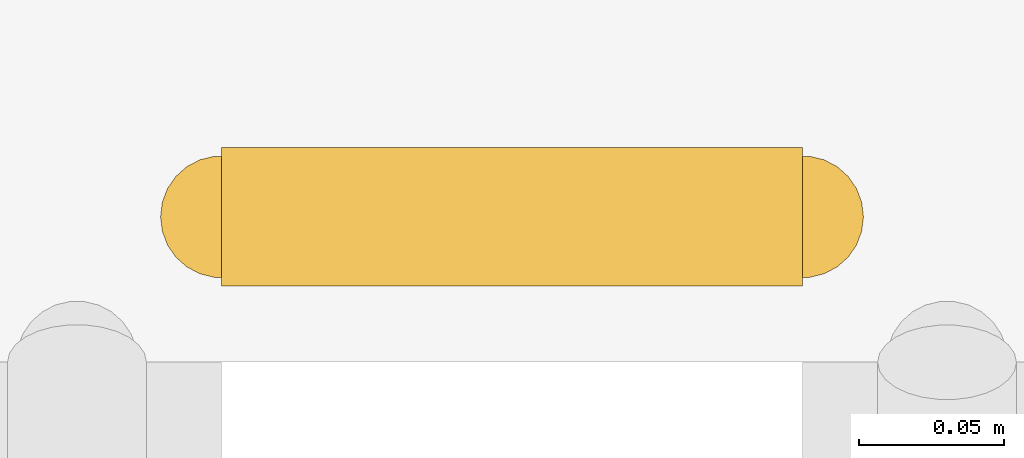
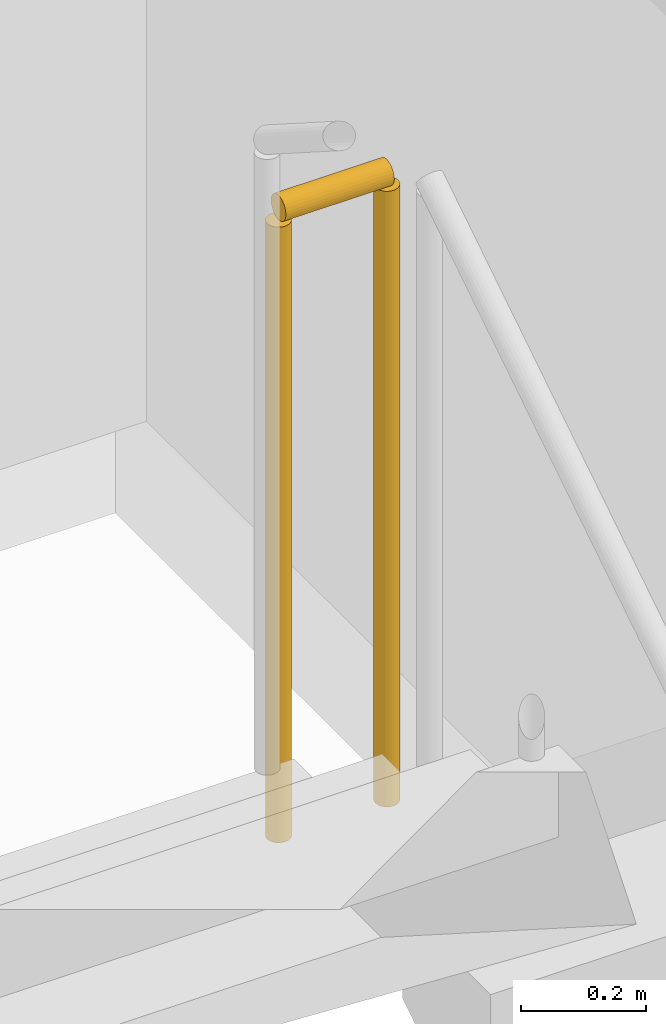
# One storey, part 11 of 11: 1 railing.
"""IFC4 building model written with IfcOpenShell, lengths in metres."""

from ifc_helpers import new_model, si_unit, direction, frame, origin, origin_2d, place, context, subcontext, project, spatial, circle, extrude, material, type_object, element, save


model = new_model("IFC4")

# Units and contexts
model_context = context("Model", 3, precision=1e-05, world=origin(), true_north=direction((0.0, 1.0)))
body_context = subcontext(model_context, "Body", "Model", "MODEL_VIEW")
ifc_project = project(units=[si_unit("LENGTHUNIT", "METRE"), si_unit("AREAUNIT", "SQUARE_METRE"), si_unit("VOLUMEUNIT", "CUBIC_METRE"), si_unit("PLANEANGLEUNIT", "RADIAN"), si_unit("MASSUNIT", "GRAM", prefix="KILO")], contexts=[model_context])

# Site, building, storey
site_placement = place(None, origin())
site = spatial("IfcSite", under=ifc_project, at=site_placement, CompositionType="ELEMENT")
building_placement = place(site_placement, origin())
building = spatial("IfcBuilding", under=site, at=building_placement, Name="Ochreholt Gables", CompositionType="ELEMENT")
storey_placement = place(building_placement, frame((0.0, 0.0, 132.0)))
storey = spatial("IfcBuildingStorey", under=building, at=storey_placement, Name="L34", CompositionType="ELEMENT", Elevation=132.0)

# Railing
ifc_material = material(Name="Painted Steel Stair Guardrail", Category="steel")
railing_type = type_object("IfcRailingType", Name="RL-ST-GUARD", PredefinedType="GUARDRAIL", material=ifc_material)
railing_placement = place(storey_placement, frame((26.60009765625, 35.048095703125, 1.800048828125)))
element("IfcRailing", 1, at=railing_placement, inside=storey, type_object=railing_type, Name="L34 ST-2 stair guard 2", PredefinedType="GUARDRAIL", context=body_context, shape_type="SweptSolid", body=[
    extrude(circle(Radius=0.02392578125, at=origin_2d()), frame((0.0, 0.0, 1.22607421875), z_axis=(-1.0, 0.0, 0.0), x_axis=(0.0, -1.0, 0.0)), (0.0, 0.0, 1.0), 0.2001953125),
    extrude(circle(Radius=0.02099609375, at=origin_2d()), origin(), (0.0, 0.0, 1.0), 1.201904296875),
    extrude(circle(Radius=0.02099609375, at=origin_2d()), frame((-0.2001953125, 0.0, 0.0)), (0.0, 0.0, 1.0), 1.201904296875),
])

save(model, "model.ifc")
